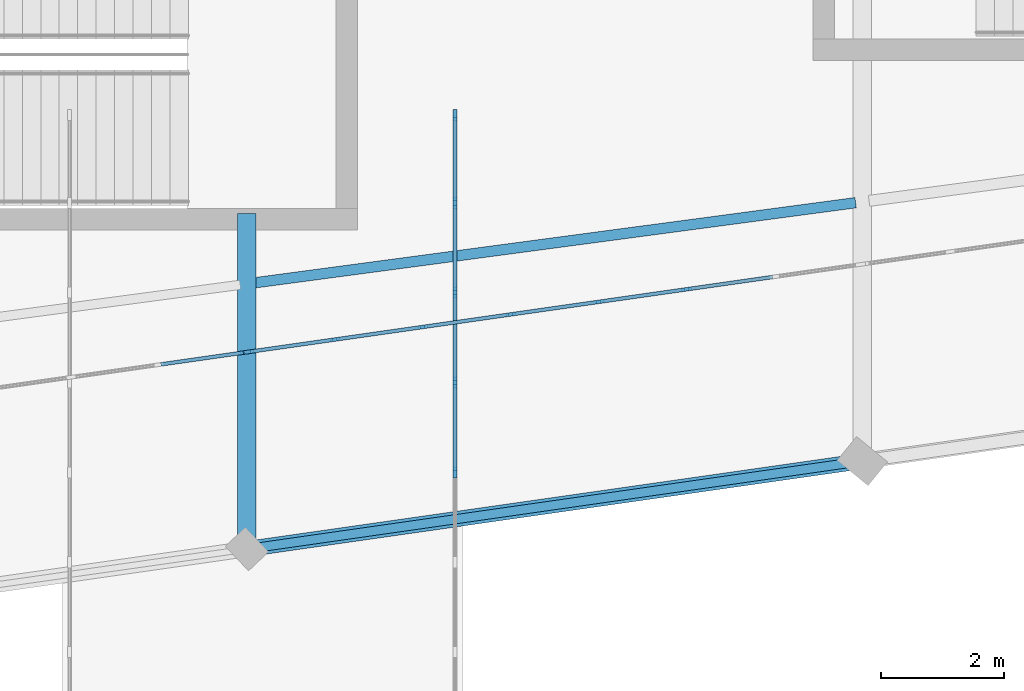
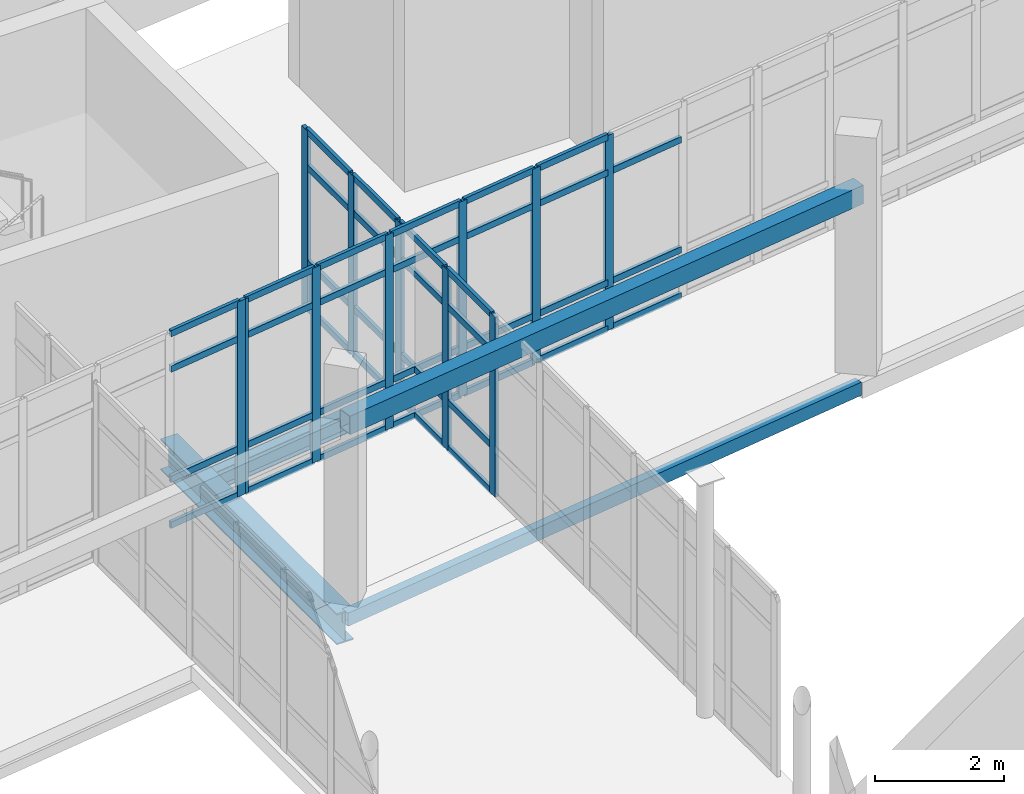
# One storey, part 64 of 122: 55 members, 4 beams, 3 elements without a shape of their own.
"""IFC4 building model written with IfcOpenShell, lengths in metres."""

from ifc_helpers import new_model, si_unit, direction, frame, origin, origin_2d, place, context, subcontext, project, spatial, rectangle, hollow_rectangle, i_section, extrude, material, layer, layer_set, material_profile, profile_set, type_object, element, aggregate, save


model = new_model("IFC4")

# Units and contexts
model_context = context("Model", 3, precision=1e-05, world=origin(), true_north=direction((0.0, 1.0)))
body_context = subcontext(model_context, "Body", "Model", "MODEL_VIEW")
ifc_project = project(units=[si_unit("LENGTHUNIT", "METRE"), si_unit("AREAUNIT", "SQUARE_METRE"), si_unit("VOLUMEUNIT", "CUBIC_METRE"), si_unit("PLANEANGLEUNIT", "RADIAN"), si_unit("MASSUNIT", "GRAM", prefix="KILO")], contexts=[model_context])

# Site, building, storey
site_placement = place(None, origin())
site = spatial("IfcSite", under=ifc_project, at=site_placement, CompositionType="ELEMENT")
building_placement = place(site_placement, origin())
building = spatial("IfcBuilding", under=site, at=building_placement, Name="Sohan Crest Arena", CompositionType="ELEMENT")
storey_placement = place(building_placement, origin())
storey = spatial("IfcBuildingStorey", under=building, at=storey_placement, Name="L00", CompositionType="ELEMENT", Elevation=0.0)

# Curtain wall, member
ifc_material_1 = material(Name="Thermally broken anodised aluminium", Category="aluminium")
ifc_layer_1 = layer(ifc_material_1, 0.179931640625, Name="Thermally broken anodised aluminium")
ifc_layer_set_1 = layer_set([ifc_layer_1], Name="Thermally broken anodised aluminium")
curtain_wall_type_1 = type_object("IfcCurtainWallType", Name="ARC-CW01", PredefinedType="NOTDEFINED", material=ifc_layer_set_1)
curtain_wall_1_placement = place(storey_placement, origin())
curtain_wall_1 = element("IfcCurtainWall", 1, at=curtain_wall_1_placement, inside=storey, type_object=curtain_wall_type_1, Name="Unitised curtain wall CW-010", PredefinedType="NOTDEFINED")
ifc_material_profile_1 = material_profile(ifc_material_1, rectangle(XDim=0.06005859375, YDim=0.159912109375, at=origin_2d()), Name="ALU-MULL 60x160")
ifc_profile_set_1 = profile_set([ifc_material_profile_1], Name="Thermally broken anodised aluminium")
member_type_1 = type_object("IfcMemberType", Name="ARC-CW-ML01", PredefinedType="MULLION", material=ifc_profile_set_1)
member_1_placement = place(storey_placement, frame((137.97021484375, 38.90966796875, 0.0), z_axis=(0.0, 0.0, 1.0), x_axis=(-0.141365918403, 0.989957411768, 0.0)))
member_1 = element("IfcMember", 2, at=member_1_placement, type_object=member_type_1, Name="CW-010 mullion 8", PredefinedType="MULLION", context=body_context, shape_type="SweptSolid", body=[
    extrude(rectangle(XDim=0.06005859375, YDim=0.159912109375, at=origin_2d()), origin(), (0.0, 0.0, 1.0), 3.679931640625),
])

# Curtain wall, members
curtain_wall_2_placement = place(storey_placement, origin())
curtain_wall_2 = element("IfcCurtainWall", 3, at=curtain_wall_2_placement, inside=storey, type_object=curtain_wall_type_1, Name="Unitised curtain wall CW-011", PredefinedType="NOTDEFINED")
member_2_placement = place(storey_placement, frame((138.02978515625, 38.918212890625, 0.0), z_axis=(0.0, 0.0, 1.0), x_axis=(-0.141462933734, 0.989943553128, 0.0)))
member_2 = element("IfcMember", 4, at=member_2_placement, type_object=member_type_1, Name="CW-011 mullion 1", PredefinedType="MULLION", context=body_context, shape_type="SweptSolid", body=[
    extrude(rectangle(XDim=0.06005859375, YDim=0.159912109375, at=origin_2d()), origin(), (0.0, 0.0, 1.0), 3.679931640625),
])
member_3_placement = place(storey_placement, frame((139.428466796875, 39.1181640625, 0.0), z_axis=(0.0, 0.0, 1.0), x_axis=(-0.141462933734, 0.989943553128, 0.0)))
member_3 = element("IfcMember", 5, at=member_3_placement, type_object=member_type_1, Name="CW-011 mullion 2", PredefinedType="MULLION", context=body_context, shape_type="SweptSolid", body=[
    extrude(rectangle(XDim=0.06005859375, YDim=0.159912109375, at=origin_2d()), origin(), (0.0, 0.0, 1.0), 3.679931640625),
])
member_4_placement = place(storey_placement, frame((140.857177734375, 39.322265625, 0.0), z_axis=(0.0, 0.0, 1.0), x_axis=(-0.141462933734, 0.989943553128, 0.0)))
member_4 = element("IfcMember", 6, at=member_4_placement, type_object=member_type_1, Name="CW-011 mullion 3", PredefinedType="MULLION", context=body_context, shape_type="SweptSolid", body=[
    extrude(rectangle(XDim=0.06005859375, YDim=0.159912109375, at=origin_2d()), origin(), (0.0, 0.0, 1.0), 3.679931640625),
])
member_5_placement = place(storey_placement, frame((142.28564453125, 39.5263671875, 0.0), z_axis=(0.0, 0.0, 1.0), x_axis=(-0.141462933734, 0.989943553128, 0.0)))
member_5 = element("IfcMember", 7, at=member_5_placement, type_object=member_type_1, Name="CW-011 mullion 4", PredefinedType="MULLION", context=body_context, shape_type="SweptSolid", body=[
    extrude(rectangle(XDim=0.06005859375, YDim=0.159912109375, at=origin_2d()), origin(), (0.0, 0.0, 1.0), 3.679931640625),
])
member_6_placement = place(storey_placement, frame((143.71435546875, 39.73046875, 0.0), z_axis=(0.0, 0.0, 1.0), x_axis=(-0.141462933734, 0.989943553128, 0.0)))
member_6 = element("IfcMember", 8, at=member_6_placement, type_object=member_type_1, Name="CW-011 mullion 5", PredefinedType="MULLION", context=body_context, shape_type="SweptSolid", body=[
    extrude(rectangle(XDim=0.06005859375, YDim=0.159912109375, at=origin_2d()), origin(), (0.0, 0.0, 1.0), 3.679931640625),
])
member_7_placement = place(storey_placement, frame((145.142822265625, 39.934814453125, 0.0), z_axis=(0.0, 0.0, 1.0), x_axis=(-0.141462933734, 0.989943553128, 0.0)))
member_7 = element("IfcMember", 9, at=member_7_placement, type_object=member_type_1, Name="CW-011 mullion 6", PredefinedType="MULLION", context=body_context, shape_type="SweptSolid", body=[
    extrude(rectangle(XDim=0.06005859375, YDim=0.159912109375, at=origin_2d()), origin(), (0.0, 0.0, 1.0), 3.679931640625),
])

ifc_layer_2 = layer(ifc_material_1, 0.18994140625, Name="Thermally broken anodised aluminium")
ifc_layer_set_2 = layer_set([ifc_layer_2], Name="Thermally broken anodised aluminium")
curtain_wall_type_2 = type_object("IfcCurtainWallType", Name="ARC-CW05", PredefinedType="NOTDEFINED", material=ifc_layer_set_2)
curtain_wall_3_placement = place(storey_placement, origin())
curtain_wall_3 = element("IfcCurtainWall", 10, at=curtain_wall_3_placement, inside=storey, type_object=curtain_wall_type_2, Name="Unitised curtain wall CW-254", PredefinedType="NOTDEFINED")
ifc_material_profile_2 = material_profile(ifc_material_1, rectangle(XDim=0.06494140625, YDim=0.179931640625, at=origin_2d()), Name="ALU-MULL 65x180")
ifc_profile_set_2 = profile_set([ifc_material_profile_2], Name="Thermally broken anodised aluminium")
member_type_2 = type_object("IfcMemberType", Name="ARC-CW-ML02", PredefinedType="MULLION", material=ifc_profile_set_2)
member_8_placement = place(storey_placement, frame((141.3798828125, 36.9599609375, 0.0), z_axis=(0.0, 0.0, 1.0), x_axis=(-1.0, 0.0, 0.0)))
member_8 = element("IfcMember", 11, at=member_8_placement, type_object=member_type_2, Name="CW-254 mullion 7", PredefinedType="MULLION", context=body_context, shape_type="SweptSolid", body=[
    extrude(rectangle(XDim=0.06494140625, YDim=0.179931640625, at=origin_2d()), origin(), (0.0, 0.0, 1.0), 3.39990234375),
])
member_9_placement = place(storey_placement, frame((141.3798828125, 38.419921875, 0.0), z_axis=(0.0, 0.0, 1.0), x_axis=(-1.0, 0.0, 0.0)))
member_9 = element("IfcMember", 12, at=member_9_placement, type_object=member_type_2, Name="CW-254 mullion 8", PredefinedType="MULLION", context=body_context, shape_type="SweptSolid", body=[
    extrude(rectangle(XDim=0.06494140625, YDim=0.179931640625, at=origin_2d()), origin(), (0.0, 0.0, 1.0), 3.39990234375),
])
member_10_placement = place(storey_placement, frame((141.3798828125, 39.8798828125, 0.0), z_axis=(0.0, 0.0, 1.0), x_axis=(-1.0, 0.0, 0.0)))
member_10 = element("IfcMember", 13, at=member_10_placement, type_object=member_type_2, Name="CW-254 mullion 9", PredefinedType="MULLION", context=body_context, shape_type="SweptSolid", body=[
    extrude(rectangle(XDim=0.06494140625, YDim=0.179931640625, at=origin_2d()), origin(), (0.0, 0.0, 1.0), 3.39990234375),
])
member_11_placement = place(storey_placement, frame((141.3798828125, 41.340087890625, 0.0), z_axis=(0.0, 0.0, 1.0), x_axis=(-1.0, 0.0, 0.0)))
member_11 = element("IfcMember", 14, at=member_11_placement, type_object=member_type_2, Name="CW-254 mullion 10", PredefinedType="MULLION", context=body_context, shape_type="SweptSolid", body=[
    extrude(rectangle(XDim=0.06494140625, YDim=0.179931640625, at=origin_2d()), origin(), (0.0, 0.0, 1.0), 3.39990234375),
])
member_12_placement = place(storey_placement, frame((141.3798828125, 42.767578125, 0.0), z_axis=(0.0, 0.0, 1.0), x_axis=(-1.0, 0.0, 0.0)))
member_12 = element("IfcMember", 15, at=member_12_placement, type_object=member_type_2, Name="CW-254 mullion 11", PredefinedType="MULLION", context=body_context, shape_type="SweptSolid", body=[
    extrude(rectangle(XDim=0.06494140625, YDim=0.179931640625, at=origin_2d()), origin(), (0.0, 0.0, 1.0), 3.39990234375),
])

# Member
ifc_material_profile_3 = material_profile(ifc_material_1, rectangle(XDim=0.06005859375, YDim=0.1201171875, at=origin_2d()), Name="ALU-TRAN 60x120")
ifc_profile_set_3 = profile_set([ifc_material_profile_3], Name="Thermally broken anodised aluminium")
member_type_3 = type_object("IfcMemberType", Name="ARC-CW-TR01", PredefinedType="USERDEFINED", material=ifc_profile_set_3)
member_13_placement = place(storey_placement, frame((136.60107421875, 38.71435546875, 0.030029296875), z_axis=(0.989971132604, 0.141269800771, 0.0), x_axis=(-0.141269800771, 0.989971132604, 0.0)))
member_13 = element("IfcMember", 16, at=member_13_placement, type_object=member_type_3, Name="CW-010 transom 7.1", ObjectType="TRANSOM", PredefinedType="USERDEFINED", context=body_context, shape_type="SweptSolid", body=[
    extrude(rectangle(XDim=0.06005859375, YDim=0.1201171875, at=origin_2d()), origin(), (0.0, 0.0, 1.0), 1.353271484375),
])

member_14_placement = place(storey_placement, frame((136.60107421875, 38.71435546875, 0.89990234375), z_axis=(0.989971132604, 0.141269800771, 0.0), x_axis=(-0.141269800771, 0.989971132604, 0.0)))
member_14 = element("IfcMember", 17, at=member_14_placement, type_object=member_type_3, Name="CW-010 transom 7.2", ObjectType="TRANSOM", PredefinedType="USERDEFINED", context=body_context, shape_type="SweptSolid", body=[
    extrude(rectangle(XDim=0.06005859375, YDim=0.1201171875, at=origin_2d()), origin(), (0.0, 0.0, 1.0), 1.353271484375),
])

member_15_placement = place(storey_placement, frame((136.60107421875, 38.71435546875, 2.97998046875), z_axis=(0.989971132604, 0.141269800771, 0.0), x_axis=(-0.141269800771, 0.989971132604, 0.0)))
member_15 = element("IfcMember", 18, at=member_15_placement, type_object=member_type_3, Name="CW-010 transom 7.3", ObjectType="TRANSOM", PredefinedType="USERDEFINED", context=body_context, shape_type="SweptSolid", body=[
    extrude(rectangle(XDim=0.06005859375, YDim=0.1201171875, at=origin_2d()), origin(), (0.0, 0.0, 1.0), 1.353271484375),
])

member_16_placement = place(storey_placement, frame((136.60107421875, 38.71435546875, 3.64990234375), z_axis=(0.989971132604, 0.141269800771, 0.0), x_axis=(-0.141269800771, 0.989971132604, 0.0)))
member_16 = element("IfcMember", 19, at=member_16_placement, type_object=member_type_3, Name="CW-010 transom 7.4", ObjectType="TRANSOM", PredefinedType="USERDEFINED", context=body_context, shape_type="SweptSolid", body=[
    extrude(rectangle(XDim=0.06005859375, YDim=0.1201171875, at=origin_2d()), origin(), (0.0, 0.0, 1.0), 1.353271484375),
])

aggregate(curtain_wall_1, [member_1, member_13, member_14, member_15, member_16])

member_17_placement = place(storey_placement, frame((138.059326171875, 38.922607421875, 0.030029296875), z_axis=(0.989945885007, 0.141446614515, 0.0), x_axis=(-0.141446614515, 0.989945885007, 0.0)))
member_17 = element("IfcMember", 20, at=member_17_placement, type_object=member_type_3, Name="CW-011 transom 1.1", ObjectType="TRANSOM", PredefinedType="USERDEFINED", context=body_context, shape_type="SweptSolid", body=[
    extrude(rectangle(XDim=0.06005859375, YDim=0.1201171875, at=origin_2d()), origin(), (0.0, 0.0, 1.0), 1.353271484375),
])

member_18_placement = place(storey_placement, frame((138.059326171875, 38.922607421875, 0.89990234375), z_axis=(0.989945885007, 0.141446614515, 0.0), x_axis=(-0.141446614515, 0.989945885007, 0.0)))
member_18 = element("IfcMember", 21, at=member_18_placement, type_object=member_type_3, Name="CW-011 transom 1.2", ObjectType="TRANSOM", PredefinedType="USERDEFINED", context=body_context, shape_type="SweptSolid", body=[
    extrude(rectangle(XDim=0.06005859375, YDim=0.1201171875, at=origin_2d()), origin(), (0.0, 0.0, 1.0), 1.353271484375),
])

member_19_placement = place(storey_placement, frame((138.059326171875, 38.922607421875, 2.97998046875), z_axis=(0.989945885007, 0.141446614515, 0.0), x_axis=(-0.141446614515, 0.989945885007, 0.0)))
member_19 = element("IfcMember", 22, at=member_19_placement, type_object=member_type_3, Name="CW-011 transom 1.3", ObjectType="TRANSOM", PredefinedType="USERDEFINED", context=body_context, shape_type="SweptSolid", body=[
    extrude(rectangle(XDim=0.06005859375, YDim=0.1201171875, at=origin_2d()), origin(), (0.0, 0.0, 1.0), 1.353271484375),
])

member_20_placement = place(storey_placement, frame((138.059326171875, 38.922607421875, 3.64990234375), z_axis=(0.989945885007, 0.141446614515, 0.0), x_axis=(-0.141446614515, 0.989945885007, 0.0)))
member_20 = element("IfcMember", 23, at=member_20_placement, type_object=member_type_3, Name="CW-011 transom 1.4", ObjectType="TRANSOM", PredefinedType="USERDEFINED", context=body_context, shape_type="SweptSolid", body=[
    extrude(rectangle(XDim=0.06005859375, YDim=0.1201171875, at=origin_2d()), origin(), (0.0, 0.0, 1.0), 1.353271484375),
])

member_21_placement = place(storey_placement, frame((139.458251953125, 39.122314453125, 0.030029296875), z_axis=(0.989928300068, 0.141569632071, 0.0), x_axis=(-0.141569632071, 0.989928300068, 0.0)))
member_21 = element("IfcMember", 24, at=member_21_placement, type_object=member_type_3, Name="CW-011 transom 2.1", ObjectType="TRANSOM", PredefinedType="USERDEFINED", context=body_context, shape_type="SweptSolid", body=[
    extrude(rectangle(XDim=0.06005859375, YDim=0.1201171875, at=origin_2d()), origin(), (0.0, 0.0, 1.0), 1.383056640625),
])

member_22_placement = place(storey_placement, frame((139.458251953125, 39.122314453125, 0.89990234375), z_axis=(0.989928300068, 0.141569632071, 0.0), x_axis=(-0.141569632071, 0.989928300068, 0.0)))
member_22 = element("IfcMember", 25, at=member_22_placement, type_object=member_type_3, Name="CW-011 transom 2.2", ObjectType="TRANSOM", PredefinedType="USERDEFINED", context=body_context, shape_type="SweptSolid", body=[
    extrude(rectangle(XDim=0.06005859375, YDim=0.1201171875, at=origin_2d()), origin(), (0.0, 0.0, 1.0), 1.383056640625),
])

member_23_placement = place(storey_placement, frame((139.458251953125, 39.122314453125, 2.97998046875), z_axis=(0.989928300068, 0.141569632071, 0.0), x_axis=(-0.141569632071, 0.989928300068, 0.0)))
member_23 = element("IfcMember", 26, at=member_23_placement, type_object=member_type_3, Name="CW-011 transom 2.3", ObjectType="TRANSOM", PredefinedType="USERDEFINED", context=body_context, shape_type="SweptSolid", body=[
    extrude(rectangle(XDim=0.06005859375, YDim=0.1201171875, at=origin_2d()), origin(), (0.0, 0.0, 1.0), 1.383056640625),
])

member_24_placement = place(storey_placement, frame((139.458251953125, 39.122314453125, 3.64990234375), z_axis=(0.989928300068, 0.141569632071, 0.0), x_axis=(-0.141569632071, 0.989928300068, 0.0)))
member_24 = element("IfcMember", 27, at=member_24_placement, type_object=member_type_3, Name="CW-011 transom 2.4", ObjectType="TRANSOM", PredefinedType="USERDEFINED", context=body_context, shape_type="SweptSolid", body=[
    extrude(rectangle(XDim=0.06005859375, YDim=0.1201171875, at=origin_2d()), origin(), (0.0, 0.0, 1.0), 1.383056640625),
])

member_25_placement = place(storey_placement, frame((140.886962890625, 39.326416015625, 0.030029296875), z_axis=(0.989928300068, 0.141569632071, 0.0), x_axis=(-0.141569632071, 0.989928300068, 0.0)))
member_25 = element("IfcMember", 28, at=member_25_placement, type_object=member_type_3, Name="CW-011 transom 3.1", ObjectType="TRANSOM", PredefinedType="USERDEFINED", context=body_context, shape_type="SweptSolid", body=[
    extrude(rectangle(XDim=0.06005859375, YDim=0.1201171875, at=origin_2d()), origin(), (0.0, 0.0, 1.0), 1.383056640625),
])

member_26_placement = place(storey_placement, frame((140.886962890625, 39.326416015625, 0.89990234375), z_axis=(0.989928300068, 0.141569632071, 0.0), x_axis=(-0.141569632071, 0.989928300068, 0.0)))
member_26 = element("IfcMember", 29, at=member_26_placement, type_object=member_type_3, Name="CW-011 transom 3.2", ObjectType="TRANSOM", PredefinedType="USERDEFINED", context=body_context, shape_type="SweptSolid", body=[
    extrude(rectangle(XDim=0.06005859375, YDim=0.1201171875, at=origin_2d()), origin(), (0.0, 0.0, 1.0), 1.383056640625),
])

member_27_placement = place(storey_placement, frame((140.886962890625, 39.326416015625, 2.97998046875), z_axis=(0.989928300068, 0.141569632071, 0.0), x_axis=(-0.141569632071, 0.989928300068, 0.0)))
member_27 = element("IfcMember", 30, at=member_27_placement, type_object=member_type_3, Name="CW-011 transom 3.3", ObjectType="TRANSOM", PredefinedType="USERDEFINED", context=body_context, shape_type="SweptSolid", body=[
    extrude(rectangle(XDim=0.06005859375, YDim=0.1201171875, at=origin_2d()), origin(), (0.0, 0.0, 1.0), 1.383056640625),
])

member_28_placement = place(storey_placement, frame((140.886962890625, 39.326416015625, 3.64990234375), z_axis=(0.989928300068, 0.141569632071, 0.0), x_axis=(-0.141569632071, 0.989928300068, 0.0)))
member_28 = element("IfcMember", 31, at=member_28_placement, type_object=member_type_3, Name="CW-011 transom 3.4", ObjectType="TRANSOM", PredefinedType="USERDEFINED", context=body_context, shape_type="SweptSolid", body=[
    extrude(rectangle(XDim=0.06005859375, YDim=0.1201171875, at=origin_2d()), origin(), (0.0, 0.0, 1.0), 1.383056640625),
])

member_29_placement = place(storey_placement, frame((142.3154296875, 39.53076171875, 0.030029296875), z_axis=(0.989953023856, 0.141396642673, 0.0), x_axis=(-0.141396642673, 0.989953023856, 0.0)))
member_29 = element("IfcMember", 32, at=member_29_placement, type_object=member_type_3, Name="CW-011 transom 4.1", ObjectType="TRANSOM", PredefinedType="USERDEFINED", context=body_context, shape_type="SweptSolid", body=[
    extrude(rectangle(XDim=0.06005859375, YDim=0.1201171875, at=origin_2d()), origin(), (0.0, 0.0, 1.0), 1.383056640625),
])

member_30_placement = place(storey_placement, frame((142.3154296875, 39.53076171875, 0.89990234375), z_axis=(0.989953023856, 0.141396642673, 0.0), x_axis=(-0.141396642673, 0.989953023856, 0.0)))
member_30 = element("IfcMember", 33, at=member_30_placement, type_object=member_type_3, Name="CW-011 transom 4.2", ObjectType="TRANSOM", PredefinedType="USERDEFINED", context=body_context, shape_type="SweptSolid", body=[
    extrude(rectangle(XDim=0.06005859375, YDim=0.1201171875, at=origin_2d()), origin(), (0.0, 0.0, 1.0), 1.383056640625),
])

member_31_placement = place(storey_placement, frame((142.3154296875, 39.53076171875, 2.97998046875), z_axis=(0.989953023856, 0.141396642673, 0.0), x_axis=(-0.141396642673, 0.989953023856, 0.0)))
member_31 = element("IfcMember", 34, at=member_31_placement, type_object=member_type_3, Name="CW-011 transom 4.3", ObjectType="TRANSOM", PredefinedType="USERDEFINED", context=body_context, shape_type="SweptSolid", body=[
    extrude(rectangle(XDim=0.06005859375, YDim=0.1201171875, at=origin_2d()), origin(), (0.0, 0.0, 1.0), 1.383056640625),
])

member_32_placement = place(storey_placement, frame((142.3154296875, 39.53076171875, 3.64990234375), z_axis=(0.989953023856, 0.141396642673, 0.0), x_axis=(-0.141396642673, 0.989953023856, 0.0)))
member_32 = element("IfcMember", 35, at=member_32_placement, type_object=member_type_3, Name="CW-011 transom 4.4", ObjectType="TRANSOM", PredefinedType="USERDEFINED", context=body_context, shape_type="SweptSolid", body=[
    extrude(rectangle(XDim=0.06005859375, YDim=0.1201171875, at=origin_2d()), origin(), (0.0, 0.0, 1.0), 1.383056640625),
])

member_33_placement = place(storey_placement, frame((143.743896484375, 39.73486328125, 0.030029296875), z_axis=(0.989953023856, 0.141396642673, 0.0), x_axis=(-0.141396642673, 0.989953023856, 0.0)))
member_33 = element("IfcMember", 36, at=member_33_placement, type_object=member_type_3, Name="CW-011 transom 5.1", ObjectType="TRANSOM", PredefinedType="USERDEFINED", context=body_context, shape_type="SweptSolid", body=[
    extrude(rectangle(XDim=0.06005859375, YDim=0.1201171875, at=origin_2d()), origin(), (0.0, 0.0, 1.0), 1.383056640625),
])

member_34_placement = place(storey_placement, frame((143.743896484375, 39.73486328125, 0.89990234375), z_axis=(0.989953023856, 0.141396642673, 0.0), x_axis=(-0.141396642673, 0.989953023856, 0.0)))
member_34 = element("IfcMember", 37, at=member_34_placement, type_object=member_type_3, Name="CW-011 transom 5.2", ObjectType="TRANSOM", PredefinedType="USERDEFINED", context=body_context, shape_type="SweptSolid", body=[
    extrude(rectangle(XDim=0.06005859375, YDim=0.1201171875, at=origin_2d()), origin(), (0.0, 0.0, 1.0), 1.383056640625),
])

member_35_placement = place(storey_placement, frame((143.743896484375, 39.73486328125, 2.97998046875), z_axis=(0.989953023856, 0.141396642673, 0.0), x_axis=(-0.141396642673, 0.989953023856, 0.0)))
member_35 = element("IfcMember", 38, at=member_35_placement, type_object=member_type_3, Name="CW-011 transom 5.3", ObjectType="TRANSOM", PredefinedType="USERDEFINED", context=body_context, shape_type="SweptSolid", body=[
    extrude(rectangle(XDim=0.06005859375, YDim=0.1201171875, at=origin_2d()), origin(), (0.0, 0.0, 1.0), 1.383056640625),
])

member_36_placement = place(storey_placement, frame((143.743896484375, 39.73486328125, 3.64990234375), z_axis=(0.989953023856, 0.141396642673, 0.0), x_axis=(-0.141396642673, 0.989953023856, 0.0)))
member_36 = element("IfcMember", 39, at=member_36_placement, type_object=member_type_3, Name="CW-011 transom 5.4", ObjectType="TRANSOM", PredefinedType="USERDEFINED", context=body_context, shape_type="SweptSolid", body=[
    extrude(rectangle(XDim=0.06005859375, YDim=0.1201171875, at=origin_2d()), origin(), (0.0, 0.0, 1.0), 1.383056640625),
])

member_37_placement = place(storey_placement, frame((145.172607421875, 39.93896484375, 0.030029296875), z_axis=(0.989953023856, 0.141396642673, 0.0), x_axis=(-0.141396642673, 0.989953023856, 0.0)))
member_37 = element("IfcMember", 40, at=member_37_placement, type_object=member_type_3, Name="CW-011 transom 6.1", ObjectType="TRANSOM", PredefinedType="USERDEFINED", context=body_context, shape_type="SweptSolid", body=[
    extrude(rectangle(XDim=0.06005859375, YDim=0.1201171875, at=origin_2d()), origin(), (0.0, 0.0, 1.0), 1.383056640625),
])

member_38_placement = place(storey_placement, frame((145.172607421875, 39.93896484375, 0.89990234375), z_axis=(0.989953023856, 0.141396642673, 0.0), x_axis=(-0.141396642673, 0.989953023856, 0.0)))
member_38 = element("IfcMember", 41, at=member_38_placement, type_object=member_type_3, Name="CW-011 transom 6.2", ObjectType="TRANSOM", PredefinedType="USERDEFINED", context=body_context, shape_type="SweptSolid", body=[
    extrude(rectangle(XDim=0.06005859375, YDim=0.1201171875, at=origin_2d()), origin(), (0.0, 0.0, 1.0), 1.383056640625),
])

member_39_placement = place(storey_placement, frame((145.172607421875, 39.93896484375, 2.97998046875), z_axis=(0.989953023856, 0.141396642673, 0.0), x_axis=(-0.141396642673, 0.989953023856, 0.0)))
member_39 = element("IfcMember", 42, at=member_39_placement, type_object=member_type_3, Name="CW-011 transom 6.3", ObjectType="TRANSOM", PredefinedType="USERDEFINED", context=body_context, shape_type="SweptSolid", body=[
    extrude(rectangle(XDim=0.06005859375, YDim=0.1201171875, at=origin_2d()), origin(), (0.0, 0.0, 1.0), 1.383056640625),
])

aggregate(curtain_wall_2, [member_2, member_3, member_4, member_5, member_6, member_7, member_17, member_18, member_19, member_20, member_21, member_22, member_23, member_24, member_25, member_26, member_27, member_28, member_29, member_30, member_31, member_32, member_33, member_34, member_35, member_36, member_37, member_38, member_39])

member_40_placement = place(storey_placement, frame((141.3798828125, 36.992431640625, 0.030029296875), z_axis=(0.0, 1.0, 0.0), x_axis=(-1.0, 0.0, 0.0)))
member_40 = element("IfcMember", 43, at=member_40_placement, type_object=member_type_3, Name="CW-254 transom 7.1", ObjectType="TRANSOM", PredefinedType="USERDEFINED", context=body_context, shape_type="SweptSolid", body=[
    extrude(rectangle(XDim=0.06005859375, YDim=0.1201171875, at=origin_2d()), origin(), (0.0, 0.0, 1.0), 1.39501953125),
])

member_41_placement = place(storey_placement, frame((141.3798828125, 36.992431640625, 0.89990234375), z_axis=(0.0, 1.0, 0.0), x_axis=(-1.0, 0.0, 0.0)))
member_41 = element("IfcMember", 44, at=member_41_placement, type_object=member_type_3, Name="CW-254 transom 7.2", ObjectType="TRANSOM", PredefinedType="USERDEFINED", context=body_context, shape_type="SweptSolid", body=[
    extrude(rectangle(XDim=0.06005859375, YDim=0.1201171875, at=origin_2d()), origin(), (0.0, 0.0, 1.0), 1.39501953125),
])

member_42_placement = place(storey_placement, frame((141.3798828125, 36.992431640625, 2.699951171875), z_axis=(0.0, 1.0, 0.0), x_axis=(-1.0, 0.0, 0.0)))
member_42 = element("IfcMember", 45, at=member_42_placement, type_object=member_type_3, Name="CW-254 transom 7.3", ObjectType="TRANSOM", PredefinedType="USERDEFINED", context=body_context, shape_type="SweptSolid", body=[
    extrude(rectangle(XDim=0.06005859375, YDim=0.1201171875, at=origin_2d()), origin(), (0.0, 0.0, 1.0), 1.39501953125),
])

member_43_placement = place(storey_placement, frame((141.3798828125, 36.992431640625, 3.3701171875), z_axis=(0.0, 1.0, 0.0), x_axis=(-1.0, 0.0, 0.0)))
member_43 = element("IfcMember", 46, at=member_43_placement, type_object=member_type_3, Name="CW-254 transom 7.4", ObjectType="TRANSOM", PredefinedType="USERDEFINED", context=body_context, shape_type="SweptSolid", body=[
    extrude(rectangle(XDim=0.06005859375, YDim=0.1201171875, at=origin_2d()), origin(), (0.0, 0.0, 1.0), 1.39501953125),
])

member_44_placement = place(storey_placement, frame((141.3798828125, 38.452392578125, 0.030029296875), z_axis=(0.0, 1.0, 0.0), x_axis=(-1.0, 0.0, 0.0)))
member_44 = element("IfcMember", 47, at=member_44_placement, type_object=member_type_3, Name="CW-254 transom 8.1", ObjectType="TRANSOM", PredefinedType="USERDEFINED", context=body_context, shape_type="SweptSolid", body=[
    extrude(rectangle(XDim=0.06005859375, YDim=0.1201171875, at=origin_2d()), origin(), (0.0, 0.0, 1.0), 1.39501953125),
])

member_45_placement = place(storey_placement, frame((141.3798828125, 38.452392578125, 0.89990234375), z_axis=(0.0, 1.0, 0.0), x_axis=(-1.0, 0.0, 0.0)))
member_45 = element("IfcMember", 48, at=member_45_placement, type_object=member_type_3, Name="CW-254 transom 8.2", ObjectType="TRANSOM", PredefinedType="USERDEFINED", context=body_context, shape_type="SweptSolid", body=[
    extrude(rectangle(XDim=0.06005859375, YDim=0.1201171875, at=origin_2d()), origin(), (0.0, 0.0, 1.0), 1.39501953125),
])

member_46_placement = place(storey_placement, frame((141.3798828125, 38.452392578125, 2.699951171875), z_axis=(0.0, 1.0, 0.0), x_axis=(-1.0, 0.0, 0.0)))
member_46 = element("IfcMember", 49, at=member_46_placement, type_object=member_type_3, Name="CW-254 transom 8.3", ObjectType="TRANSOM", PredefinedType="USERDEFINED", context=body_context, shape_type="SweptSolid", body=[
    extrude(rectangle(XDim=0.06005859375, YDim=0.1201171875, at=origin_2d()), origin(), (0.0, 0.0, 1.0), 1.39501953125),
])

member_47_placement = place(storey_placement, frame((141.3798828125, 38.452392578125, 3.3701171875), z_axis=(0.0, 1.0, 0.0), x_axis=(-1.0, 0.0, 0.0)))
member_47 = element("IfcMember", 50, at=member_47_placement, type_object=member_type_3, Name="CW-254 transom 8.4", ObjectType="TRANSOM", PredefinedType="USERDEFINED", context=body_context, shape_type="SweptSolid", body=[
    extrude(rectangle(XDim=0.06005859375, YDim=0.1201171875, at=origin_2d()), origin(), (0.0, 0.0, 1.0), 1.39501953125),
])

member_48_placement = place(storey_placement, frame((141.3798828125, 39.91259765625, 0.030029296875), z_axis=(0.0, 1.0, 0.0), x_axis=(-1.0, 0.0, 0.0)))
member_48 = element("IfcMember", 51, at=member_48_placement, type_object=member_type_3, Name="CW-254 transom 9.1", ObjectType="TRANSOM", PredefinedType="USERDEFINED", context=body_context, shape_type="SweptSolid", body=[
    extrude(rectangle(XDim=0.06005859375, YDim=0.1201171875, at=origin_2d()), origin(), (0.0, 0.0, 1.0), 1.39501953125),
])

member_49_placement = place(storey_placement, frame((141.3798828125, 39.91259765625, 0.89990234375), z_axis=(0.0, 1.0, 0.0), x_axis=(-1.0, 0.0, 0.0)))
member_49 = element("IfcMember", 52, at=member_49_placement, type_object=member_type_3, Name="CW-254 transom 9.2", ObjectType="TRANSOM", PredefinedType="USERDEFINED", context=body_context, shape_type="SweptSolid", body=[
    extrude(rectangle(XDim=0.06005859375, YDim=0.1201171875, at=origin_2d()), origin(), (0.0, 0.0, 1.0), 1.39501953125),
])

member_50_placement = place(storey_placement, frame((141.3798828125, 39.91259765625, 2.699951171875), z_axis=(0.0, 1.0, 0.0), x_axis=(-1.0, 0.0, 0.0)))
member_50 = element("IfcMember", 53, at=member_50_placement, type_object=member_type_3, Name="CW-254 transom 9.3", ObjectType="TRANSOM", PredefinedType="USERDEFINED", context=body_context, shape_type="SweptSolid", body=[
    extrude(rectangle(XDim=0.06005859375, YDim=0.1201171875, at=origin_2d()), origin(), (0.0, 0.0, 1.0), 1.39501953125),
])

member_51_placement = place(storey_placement, frame((141.3798828125, 39.91259765625, 3.3701171875), z_axis=(0.0, 1.0, 0.0), x_axis=(-1.0, 0.0, 0.0)))
member_51 = element("IfcMember", 54, at=member_51_placement, type_object=member_type_3, Name="CW-254 transom 9.4", ObjectType="TRANSOM", PredefinedType="USERDEFINED", context=body_context, shape_type="SweptSolid", body=[
    extrude(rectangle(XDim=0.06005859375, YDim=0.1201171875, at=origin_2d()), origin(), (0.0, 0.0, 1.0), 1.39501953125),
])

member_52_placement = place(storey_placement, frame((141.3798828125, 41.37255859375, 0.030029296875), z_axis=(0.0, 1.0, 0.0), x_axis=(-1.0, 0.0, 0.0)))
member_52 = element("IfcMember", 55, at=member_52_placement, type_object=member_type_3, Name="CW-254 transom 10.1", ObjectType="TRANSOM", PredefinedType="USERDEFINED", context=body_context, shape_type="SweptSolid", body=[
    extrude(rectangle(XDim=0.06005859375, YDim=0.1201171875, at=origin_2d()), origin(), (0.0, 0.0, 1.0), 1.362548828125),
])

member_53_placement = place(storey_placement, frame((141.3798828125, 41.37255859375, 0.89990234375), z_axis=(0.0, 1.0, 0.0), x_axis=(-1.0, 0.0, 0.0)))
member_53 = element("IfcMember", 56, at=member_53_placement, type_object=member_type_3, Name="CW-254 transom 10.2", ObjectType="TRANSOM", PredefinedType="USERDEFINED", context=body_context, shape_type="SweptSolid", body=[
    extrude(rectangle(XDim=0.06005859375, YDim=0.1201171875, at=origin_2d()), origin(), (0.0, 0.0, 1.0), 1.362548828125),
])

member_54_placement = place(storey_placement, frame((141.3798828125, 41.37255859375, 2.699951171875), z_axis=(0.0, 1.0, 0.0), x_axis=(-1.0, 0.0, 0.0)))
member_54 = element("IfcMember", 57, at=member_54_placement, type_object=member_type_3, Name="CW-254 transom 10.3", ObjectType="TRANSOM", PredefinedType="USERDEFINED", context=body_context, shape_type="SweptSolid", body=[
    extrude(rectangle(XDim=0.06005859375, YDim=0.1201171875, at=origin_2d()), origin(), (0.0, 0.0, 1.0), 1.362548828125),
])

member_55_placement = place(storey_placement, frame((141.3798828125, 41.37255859375, 3.3701171875), z_axis=(0.0, 1.0, 0.0), x_axis=(-1.0, 0.0, 0.0)))
member_55 = element("IfcMember", 58, at=member_55_placement, type_object=member_type_3, Name="CW-254 transom 10.4", ObjectType="TRANSOM", PredefinedType="USERDEFINED", context=body_context, shape_type="SweptSolid", body=[
    extrude(rectangle(XDim=0.06005859375, YDim=0.1201171875, at=origin_2d()), origin(), (0.0, 0.0, 1.0), 1.362548828125),
])

aggregate(curtain_wall_3, [member_8, member_9, member_10, member_11, member_12, member_40, member_41, member_42, member_43, member_44, member_45, member_46, member_47, member_48, member_49, member_50, member_51, member_52, member_53, member_54, member_55])

# Beams
ifc_material_2 = material(Name="Steel S355", Category="steel")
ifc_material_profile_4 = material_profile(ifc_material_2, i_section(OverallWidth=0.169921875, OverallDepth=0.360107421875, WebThickness=0.008056640625, FlangeThickness=0.0126953125, at=origin_2d()), Name="IPE 360")
ifc_profile_set_4 = profile_set([ifc_material_profile_4], Name="Steel S355")
beam_type_1 = type_object("IfcBeamType", Name="STR-BM-B02", PredefinedType="JOIST", material=ifc_profile_set_4)
beam_1_placement = place(storey_placement, frame((138.10888671875, 40.0380859375, -0.455078125), z_axis=(0.991232437337, 0.132129690721, 0.0), x_axis=(-0.132129690721, 0.991232437337, 0.0)))
element("IfcBeam", 59, at=beam_1_placement, inside=storey, type_object=beam_type_1, Name="Structural beam J-L00-0989", PredefinedType="JOIST", context=body_context, shape_type="SweptSolid", body=[
    extrude(i_section(OverallWidth=0.169921875, OverallDepth=0.360107421875, WebThickness=0.008056640625, FlangeThickness=0.0126953125, at=origin_2d()), origin(), (0.0, 0.0, 1.0), 9.86865234375),
])
ifc_material_profile_5 = material_profile(ifc_material_2, i_section(OverallWidth=0.300048828125, OverallDepth=0.590087890625, WebThickness=0.012939453125, FlangeThickness=0.02490234375, at=origin_2d()), Name="HEA 600")
ifc_profile_set_5 = profile_set([ifc_material_profile_5], Name="Steel S355")
beam_type_2 = type_object("IfcBeamType", Name="STR-BM-B11", PredefinedType="BEAM", material=ifc_profile_set_5)
beam_2_placement = place(storey_placement, frame((138.0, 41.169921875, -0.570068359375), z_axis=(0.0, -1.0, 0.0), x_axis=(1.0, 0.0, 0.0)))
element("IfcBeam", 60, at=beam_2_placement, inside=storey, type_object=beam_type_2, Name="Structural beam G-L00-0985", PredefinedType="BEAM", context=body_context, shape_type="SweptSolid", body=[
    extrude(i_section(OverallWidth=0.300048828125, OverallDepth=0.590087890625, WebThickness=0.012939453125, FlangeThickness=0.02490234375, at=origin_2d()), origin(), (0.0, 0.0, 1.0), 5.455810546875),
])
ifc_material_profile_6 = material_profile(ifc_material_2, hollow_rectangle(XDim=0.14990234375, YDim=0.25, WallThickness=0.010009765625, at=origin_2d()), Name="RHS 250x150x10")
ifc_profile_set_6 = profile_set([ifc_material_profile_6], Name="Steel S355")
beam_type_3 = type_object("IfcBeamType", Name="STR-BM-SP02", PredefinedType="SPANDREL", material=ifc_profile_set_6)
beam_3_placement = place(storey_placement, frame((138.0, 35.714111328125, -0.39990234375), z_axis=(0.989944175879, 0.141458575718, 0.0), x_axis=(-0.141458575718, 0.989944175879, 0.0)))
element("IfcBeam", 61, at=beam_3_placement, inside=storey, type_object=beam_type_3, Name="Structural beam SP-L00-0987", PredefinedType="SPANDREL", context=body_context, shape_type="SweptSolid", body=[
    extrude(hollow_rectangle(XDim=0.14990234375, YDim=0.25, WallThickness=0.010009765625, at=origin_2d()), origin(), (0.0, 0.0, 1.0), 10.1015625),
])
ifc_material_profile_7 = material_profile(ifc_material_2, hollow_rectangle(XDim=0.25, YDim=0.35009765625, WallThickness=0.012451171875, at=origin_2d()), Name="RHS 350x250x12.5")
ifc_profile_set_7 = profile_set([ifc_material_profile_7], Name="Steel S355")
beam_type_4 = type_object("IfcBeamType", Name="STR-BM-SP04", PredefinedType="SPANDREL", material=ifc_profile_set_7)
beam_4_placement = place(storey_placement, frame((138.0, 35.714111328125, 3.300048828125), z_axis=(0.989944175879, 0.141458575718, 0.0), x_axis=(-0.141458575718, 0.989944175879, 0.0)))
element("IfcBeam", 62, at=beam_4_placement, inside=storey, type_object=beam_type_4, Name="Structural beam ARC-L00-0988", PredefinedType="SPANDREL", context=body_context, shape_type="SweptSolid", body=[
    extrude(hollow_rectangle(XDim=0.25, YDim=0.35009765625, WallThickness=0.012451171875, at=origin_2d()), origin(), (0.0, 0.0, 1.0), 10.1015625),
])

save(model, "model.ifc")
